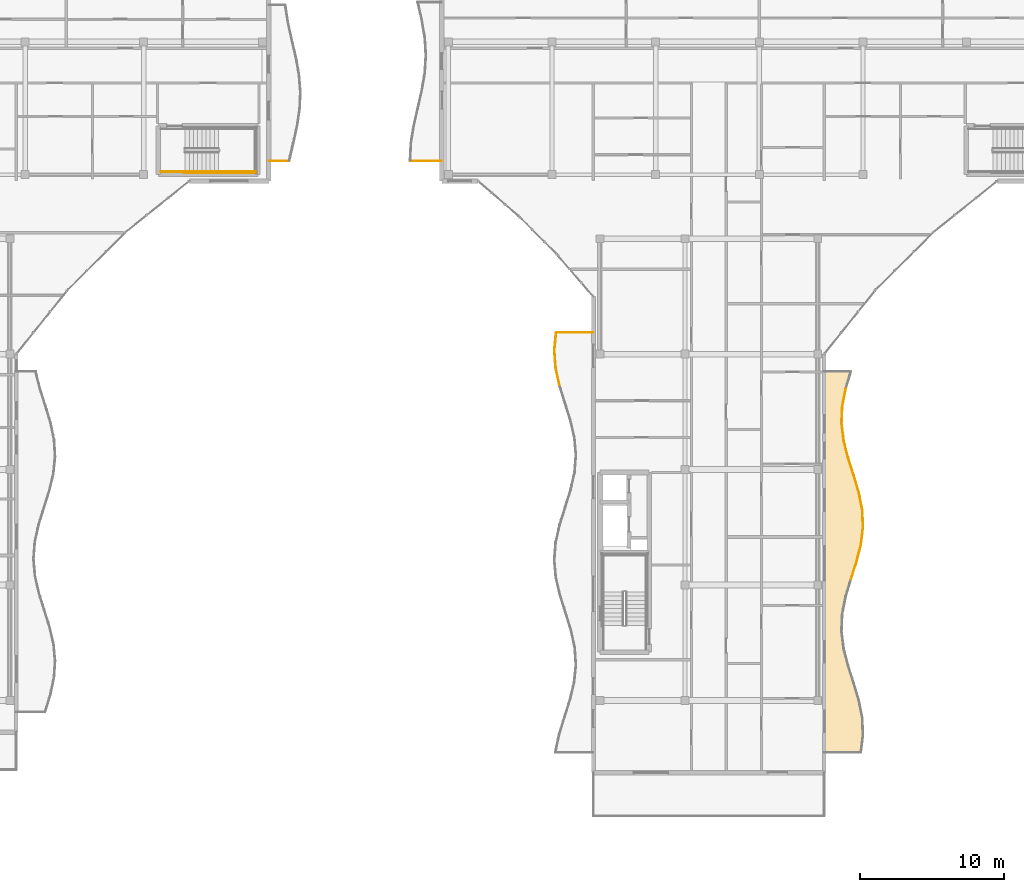
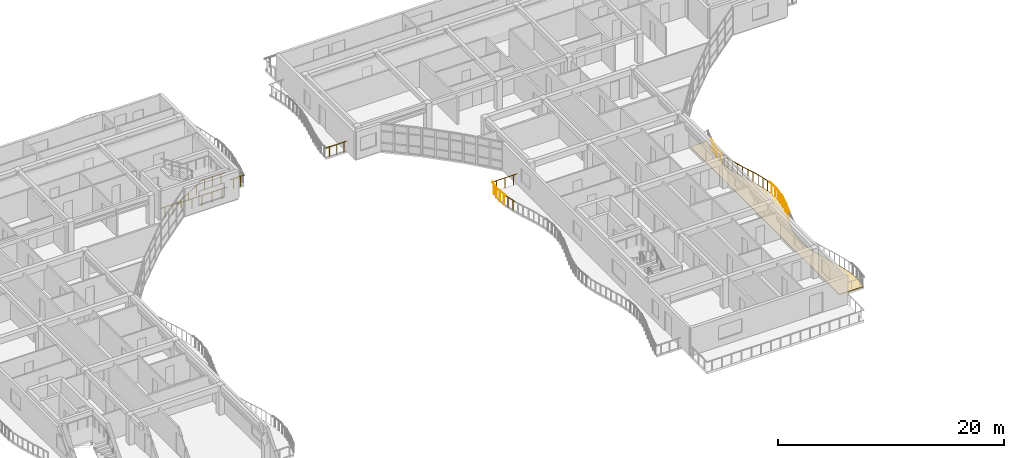
# One storey, part 45 of 54: 21 railings, 1 covering.
"""IFC4 building model written with IfcOpenShell, lengths in metres."""

from ifc_helpers import new_model, si_unit, direction, frame, origin, origin_2d, place, context, subcontext, project, spatial, polyline, circle, outline, extrude, material, layer, layer_set, type_object, element, save


model = new_model("IFC4")

# Units and contexts
model_context = context("Model", 3, precision=1e-05, world=origin(), true_north=direction((0.0, 1.0)))
body_context = subcontext(model_context, "Body", "Model", "MODEL_VIEW")
ifc_project = project(units=[si_unit("LENGTHUNIT", "METRE"), si_unit("AREAUNIT", "SQUARE_METRE"), si_unit("VOLUMEUNIT", "CUBIC_METRE"), si_unit("PLANEANGLEUNIT", "RADIAN"), si_unit("MASSUNIT", "GRAM", prefix="KILO")], contexts=[model_context])

# Site, building, storey
site_placement = place(None, origin())
site = spatial("IfcSite", under=ifc_project, at=site_placement, CompositionType="ELEMENT")
building_placement = place(site_placement, origin())
building = spatial("IfcBuilding", under=site, at=building_placement, Name="Keldmere Railside Commons", CompositionType="ELEMENT")
storey_placement = place(building_placement, frame((0.0, 0.0, 26.56005859375)))
storey = spatial("IfcBuildingStorey", under=building, at=storey_placement, Name="L08", CompositionType="ELEMENT", Elevation=26.56005859375)

# Railings
ifc_material_1 = material(Name="Steel F-24 (S235)", Category="steel")
railing_type_1 = type_object("IfcRailingType", Name="Balcony & Terrace Steel Balustrade 1100", PredefinedType="BALUSTRADE", material=ifc_material_1)
railing_1_placement = place(storey_placement, frame((81.5, 101.39990234375, 0.0)))
element("IfcRailing", 1, at=railing_1_placement, inside=storey, type_object=railing_type_1, Name="GR-1 GRD-L08-1718", PredefinedType="BALUSTRADE", context=body_context, shape_type="SweptSolid", body=[
    extrude(circle(Radius=0.02392578125, at=origin_2d()), frame((0.0, 0.0, 1.076171875), z_axis=(1.0, 0.0, 0.0), x_axis=(0.0, 1.0, 0.0)), (0.0, 0.0, 1.0), 1.419189453125),
    extrude(circle(Radius=0.02099609375, at=origin_2d()), frame((0.354736328125, 0.0, 0.0)), (0.0, 0.0, 1.0), 1.048095703125),
    extrude(circle(Radius=0.02099609375, at=origin_2d()), frame((1.064453125, 0.0, 0.0)), (0.0, 0.0, 1.0), 1.048095703125),
])
railing_2_placement = place(storey_placement, frame((121.8525390625, 72.39990234375, 0.0)))
element("IfcRailing", 2, at=railing_2_placement, inside=storey, type_object=railing_type_1, Name="GR-1 GRD-L08-2772", PredefinedType="BALUSTRADE", context=body_context, shape_type="SweptSolid", body=[
    extrude(circle(Radius=0.02392578125, at=origin_2d()), frame((0.0, 0.0, 1.076171875), z_axis=(0.305281739289, 0.952262075091, 0.0), x_axis=(-0.952262075091, 0.305281739289, 0.0)), (0.0, 0.0, 1.0), 1.26025390625),
    extrude(circle(Radius=0.02099609375, at=origin_2d()), frame((0.09619140625, 0.300048828125, 0.0)), (0.0, 0.0, 1.0), 1.048095703125),
    extrude(circle(Radius=0.02099609375, at=origin_2d()), frame((0.28857421875, 0.900146484375, 0.0)), (0.0, 0.0, 1.0), 1.048095703125),
])
railing_3_placement = place(storey_placement, frame((122.2373046875, 73.60009765625, 0.0)))
element("IfcRailing", 3, at=railing_3_placement, inside=storey, type_object=railing_type_1, Name="GR-1 GRD-L08-2773", PredefinedType="BALUSTRADE", context=body_context, shape_type="SweptSolid", body=[
    extrude(circle(Radius=0.02392578125, at=origin_2d()), frame((0.0, 0.0, 1.076171875), z_axis=(0.248697742419, 0.968581144208, 0.0), x_axis=(-0.968581144208, 0.248697742419, 0.0)), (0.0, 0.0, 1.0), 1.23876953125),
    extrude(circle(Radius=0.02099609375, at=origin_2d()), frame((0.0771484375, 0.300048828125, 0.0)), (0.0, 0.0, 1.0), 1.048095703125),
    extrude(circle(Radius=0.02099609375, at=origin_2d()), frame((0.23095703125, 0.89990234375, 0.0)), (0.0, 0.0, 1.0), 1.048095703125),
])
railing_4_placement = place(storey_placement, frame((122.54541015625, 74.800048828125, 0.0)))
element("IfcRailing", 4, at=railing_4_placement, inside=storey, type_object=railing_type_1, Name="GR-1 GRD-L08-2774", PredefinedType="BALUSTRADE", context=body_context, shape_type="SweptSolid", body=[
    extrude(circle(Radius=0.02392578125, at=origin_2d()), frame((0.0, 0.0, 1.076171875), z_axis=(0.12256831493, 0.992460078882, 0.0), x_axis=(-0.992460078882, 0.12256831493, 0.0)), (0.0, 0.0, 1.0), 1.208984375),
    extrude(circle(Radius=0.02099609375, at=origin_2d()), frame((0.037109375, 0.300048828125, 0.0)), (0.0, 0.0, 1.0), 1.048095703125),
    extrude(circle(Radius=0.02099609375, at=origin_2d()), frame((0.111083984375, 0.89990234375, 0.0)), (0.0, 0.0, 1.0), 1.048095703125),
])
railing_5_placement = place(storey_placement, frame((122.693603515625, 76.0, 0.0)))
element("IfcRailing", 5, at=railing_5_placement, inside=storey, type_object=railing_type_1, Name="GR-1 GRD-L08-2775", PredefinedType="BALUSTRADE", context=body_context, shape_type="SweptSolid", body=[
    extrude(circle(Radius=0.02392578125, at=origin_2d()), frame((0.0, 0.0, 1.076171875), z_axis=(-0.042281585484, 0.999105733909, 0.0), x_axis=(-0.999105733909, -0.042281585484, 0.0)), (0.0, 0.0, 1.0), 1.200927734375),
    extrude(circle(Radius=0.02099609375, at=origin_2d()), frame((-0.0126953125, 0.300048828125, 0.0)), (0.0, 0.0, 1.0), 1.048095703125),
    extrude(circle(Radius=0.02099609375, at=origin_2d()), frame((-0.0380859375, 0.89990234375, 0.0)), (0.0, 0.0, 1.0), 1.048095703125),
])
railing_6_placement = place(storey_placement, frame((122.642822265625, 77.199951171875, 0.0)))
element("IfcRailing", 6, at=railing_6_placement, inside=storey, type_object=railing_type_1, Name="GR-1 GRD-L08-2776", PredefinedType="BALUSTRADE", context=body_context, shape_type="SweptSolid", body=[
    extrude(circle(Radius=0.02392578125, at=origin_2d()), frame((0.0, 0.0, 1.076171875), z_axis=(-0.193428255419, 0.981114422484, 0.0), x_axis=(-0.981114422484, -0.193428255419, 0.0)), (0.0, 0.0, 1.0), 1.22314453125),
    extrude(circle(Radius=0.02099609375, at=origin_2d()), frame((-0.05908203125, 0.300048828125, 0.0)), (0.0, 0.0, 1.0), 1.048095703125),
    extrude(circle(Radius=0.02099609375, at=origin_2d()), frame((-0.177490234375, 0.89990234375, 0.0)), (0.0, 0.0, 1.0), 1.048095703125),
])
railing_7_placement = place(storey_placement, frame((122.40625, 78.39990234375, 0.0)))
element("IfcRailing", 7, at=railing_7_placement, inside=storey, type_object=railing_type_1, Name="GR-1 GRD-L08-2777", PredefinedType="BALUSTRADE", context=body_context, shape_type="SweptSolid", body=[
    extrude(circle(Radius=0.02392578125, at=origin_2d()), frame((0.0, 0.0, 1.076171875), z_axis=(-0.286310625412, 0.958136851278, 0.0), x_axis=(-0.958136851278, -0.286310625412, 0.0)), (0.0, 0.0, 1.0), 1.252685546875),
    extrude(circle(Radius=0.02099609375, at=origin_2d()), frame((-0.089599609375, 0.300048828125, 0.0)), (0.0, 0.0, 1.0), 1.048095703125),
    extrude(circle(Radius=0.02099609375, at=origin_2d()), frame((-0.26904296875, 0.900146484375, 0.0)), (0.0, 0.0, 1.0), 1.048095703125),
])
railing_8_placement = place(storey_placement, frame((122.047607421875, 79.60009765625, 0.0)))
element("IfcRailing", 8, at=railing_8_placement, inside=storey, type_object=railing_type_1, Name="GR-1 GRD-L08-2778", PredefinedType="BALUSTRADE", context=body_context, shape_type="SweptSolid", body=[
    extrude(circle(Radius=0.02392578125, at=origin_2d()), frame((0.0, 0.0, 1.076171875), z_axis=(-0.30551372524, 0.952187672515, 0.0), x_axis=(-0.952187672515, -0.30551372524, 0.0)), (0.0, 0.0, 1.0), 1.26025390625),
    extrude(circle(Radius=0.02099609375, at=origin_2d()), frame((-0.09619140625, 0.300048828125, 0.0)), (0.0, 0.0, 1.0), 1.048095703125),
    extrude(circle(Radius=0.02099609375, at=origin_2d()), frame((-0.288818359375, 0.89990234375, 0.0)), (0.0, 0.0, 1.0), 1.048095703125),
])
railing_9_placement = place(storey_placement, frame((121.66259765625, 80.800048828125, 0.0)))
element("IfcRailing", 9, at=railing_9_placement, inside=storey, type_object=railing_type_1, Name="GR-1 GRD-L08-2779", PredefinedType="BALUSTRADE", context=body_context, shape_type="SweptSolid", body=[
    extrude(circle(Radius=0.02392578125, at=origin_2d()), frame((0.0, 0.0, 1.076171875), z_axis=(-0.248512851139, 0.968628599009, 0.0), x_axis=(-0.968628599009, -0.248512851139, 0.0)), (0.0, 0.0, 1.0), 1.23876953125),
    extrude(circle(Radius=0.02099609375, at=origin_2d()), frame((-0.076904296875, 0.300048828125, 0.0)), (0.0, 0.0, 1.0), 1.048095703125),
    extrude(circle(Radius=0.02099609375, at=origin_2d()), frame((-0.23095703125, 0.89990234375, 0.0)), (0.0, 0.0, 1.0), 1.048095703125),
])
railing_10_placement = place(storey_placement, frame((121.354736328125, 82.0, 0.0)))
element("IfcRailing", 10, at=railing_10_placement, inside=storey, type_object=railing_type_1, Name="GR-1 GRD-L08-2780", PredefinedType="BALUSTRADE", context=body_context, shape_type="SweptSolid", body=[
    extrude(circle(Radius=0.02392578125, at=origin_2d()), frame((0.0, 0.0, 1.076171875), z_axis=(-0.122767198765, 0.992435496598, 0.0), x_axis=(-0.992435496598, -0.122767198765, 0.0)), (0.0, 0.0, 1.0), 1.208984375),
    extrude(circle(Radius=0.02099609375, at=origin_2d()), frame((-0.037109375, 0.300048828125, 0.0)), (0.0, 0.0, 1.0), 1.048095703125),
    extrude(circle(Radius=0.02099609375, at=origin_2d()), frame((-0.111328125, 0.89990234375, 0.0)), (0.0, 0.0, 1.0), 1.048095703125),
])
railing_11_placement = place(storey_placement, frame((121.206298828125, 83.199951171875, 0.0)))
element("IfcRailing", 11, at=railing_11_placement, inside=storey, type_object=railing_type_1, Name="GR-1 GRD-L08-2781", PredefinedType="BALUSTRADE", context=body_context, shape_type="SweptSolid", body=[
    extrude(circle(Radius=0.02392578125, at=origin_2d()), frame((0.0, 0.0, 1.076171875), z_axis=(0.042281585484, 0.999105733909, 0.0), x_axis=(-0.999105733909, 0.042281585484, 0.0)), (0.0, 0.0, 1.0), 1.200927734375),
    extrude(circle(Radius=0.02099609375, at=origin_2d()), frame((0.0126953125, 0.300048828125, 0.0)), (0.0, 0.0, 1.0), 1.048095703125),
    extrude(circle(Radius=0.02099609375, at=origin_2d()), frame((0.0380859375, 0.89990234375, 0.0)), (0.0, 0.0, 1.0), 1.048095703125),
])
railing_12_placement = place(storey_placement, frame((121.257080078125, 84.39990234375, 0.0)))
element("IfcRailing", 12, at=railing_12_placement, inside=storey, type_object=railing_type_1, Name="GR-1 GRD-L08-2782", PredefinedType="BALUSTRADE", context=body_context, shape_type="SweptSolid", body=[
    extrude(circle(Radius=0.02392578125, at=origin_2d()), frame((0.0, 0.0, 1.076171875), z_axis=(0.193390380448, 0.981121888835, 0.0), x_axis=(-0.981121888835, 0.193390380448, 0.0)), (0.0, 0.0, 1.0), 1.223388671875),
    extrude(circle(Radius=0.02099609375, at=origin_2d()), frame((0.05908203125, 0.300048828125, 0.0)), (0.0, 0.0, 1.0), 1.048095703125),
    extrude(circle(Radius=0.02099609375, at=origin_2d()), frame((0.177490234375, 0.900146484375, 0.0)), (0.0, 0.0, 1.0), 1.048095703125),
])
railing_13_placement = place(storey_placement, frame((101.6513671875, 85.862548828125, 0.0)))
element("IfcRailing", 13, at=railing_13_placement, inside=storey, type_object=railing_type_1, Name="GR-1 GRD-L08-2807", PredefinedType="BALUSTRADE", context=body_context, shape_type="SweptSolid", body=[
    extrude(circle(Radius=0.02392578125, at=origin_2d()), frame((0.0, 0.0, 1.076171875), z_axis=(-0.214388987942, 0.97674836158, 0.0), x_axis=(-0.97674836158, -0.214388987942, 0.0)), (0.0, 0.0, 1.0), 1.2412109375),
    extrude(circle(Radius=0.02099609375, at=origin_2d()), frame((-0.06640625, 0.30322265625, 0.0)), (0.0, 0.0, 1.0), 1.048095703125),
    extrude(circle(Radius=0.02099609375, at=origin_2d()), frame((-0.19970703125, 0.9091796875, 0.0)), (0.0, 0.0, 1.0), 1.048095703125),
])
railing_14_placement = place(storey_placement, frame((101.38525390625, 87.074951171875, 0.0)))
element("IfcRailing", 14, at=railing_14_placement, inside=storey, type_object=railing_type_1, Name="GR-1 GRD-L08-2808", PredefinedType="BALUSTRADE", context=body_context, shape_type="SweptSolid", body=[
    extrude(circle(Radius=0.02392578125, at=origin_2d()), frame((0.0, 0.0, 1.076171875), z_axis=(-0.069491355665, 0.997582553721, 0.0), x_axis=(-0.997582553721, -0.069491355665, 0.0)), (0.0, 0.0, 1.0), 1.215576171875),
    extrude(circle(Radius=0.02099609375, at=origin_2d()), frame((-0.02099609375, 0.30322265625, 0.0)), (0.0, 0.0, 1.0), 1.048095703125),
    extrude(circle(Radius=0.02099609375, at=origin_2d()), frame((-0.0634765625, 0.909423828125, 0.0)), (0.0, 0.0, 1.0), 1.048095703125),
])
railing_15_placement = place(storey_placement, frame((101.30078125, 88.28759765625, 0.0)))
element("IfcRailing", 15, at=railing_15_placement, inside=storey, type_object=railing_type_1, Name="GR-1 GRD-L08-2809", PredefinedType="BALUSTRADE", context=body_context, shape_type="SweptSolid", body=[
    extrude(circle(Radius=0.02392578125, at=origin_2d()), frame((0.0, 0.0, 1.076171875), z_axis=(0.098987875139, 0.995088639557, 0.0), x_axis=(-0.995088639557, 0.098987875139, 0.0)), (0.0, 0.0, 1.0), 1.218505859375),
    extrude(circle(Radius=0.02099609375, at=origin_2d()), frame((0.0302734375, 0.30322265625, 0.0)), (0.0, 0.0, 1.0), 1.048095703125),
    extrude(circle(Radius=0.02099609375, at=origin_2d()), frame((0.09033203125, 0.9091796875, 0.0)), (0.0, 0.0, 1.0), 1.048095703125),
])
railing_16_placement = place(storey_placement, frame((101.42138671875, 89.5, 0.0)))
element("IfcRailing", 16, at=railing_16_placement, inside=storey, type_object=railing_type_1, Name="GR-1 GRD-L08-2810", PredefinedType="BALUSTRADE", context=body_context, shape_type="SweptSolid", body=[
    extrude(circle(Radius=0.02392578125, at=origin_2d()), frame((0.0, 0.0, 1.076171875), z_axis=(1.0, 0.0, 0.0), x_axis=(0.0, 1.0, 0.0)), (0.0, 0.0, 1.0), 2.57861328125),
    extrude(circle(Radius=0.02099609375, at=origin_2d()), frame((0.4296875, 0.0, 0.0)), (0.0, 0.0, 1.0), 1.048095703125),
    extrude(circle(Radius=0.02099609375, at=origin_2d()), frame((1.289306640625, 0.0, 0.0)), (0.0, 0.0, 1.0), 1.048095703125),
    extrude(circle(Radius=0.02099609375, at=origin_2d()), frame((2.14892578125, 0.0, 0.0)), (0.0, 0.0, 1.0), 1.048095703125),
])
railing_17_placement = place(storey_placement, frame((93.5, 101.39990234375, 0.0)))
element("IfcRailing", 17, at=railing_17_placement, inside=storey, type_object=railing_type_1, Name="GR-1 GRD-L08-2822", PredefinedType="BALUSTRADE", context=body_context, shape_type="SweptSolid", body=[
    extrude(circle(Radius=0.02392578125, at=origin_2d()), frame((0.0, 0.0, 1.076171875), z_axis=(-1.0, 0.0, 0.0), x_axis=(0.0, -1.0, 0.0)), (0.0, 0.0, 1.0), 2.19921875),
    extrude(circle(Radius=0.02099609375, at=origin_2d()), frame((-0.366455078125, 0.0, 0.0)), (0.0, 0.0, 1.0), 1.048095703125),
    extrude(circle(Radius=0.02099609375, at=origin_2d()), frame((-1.099609375, 0.0, 0.0)), (0.0, 0.0, 1.0), 1.048095703125),
    extrude(circle(Radius=0.02099609375, at=origin_2d()), frame((-1.832763671875, 0.0, 0.0)), (0.0, 0.0, 1.0), 1.048095703125),
])
railing_type_2 = type_object("IfcRailingType", Name="Stair Well Steel Guardrail 1100", PredefinedType="BALUSTRADE", material=ifc_material_1)
railing_18_placement = place(storey_placement, frame((78.02001953125, 100.64990234375, 1.599853515625)))
element("IfcRailing", 18, at=railing_18_placement, inside=storey, type_object=railing_type_2, Name="L08 ST-C2 stair guard 3", PredefinedType="BALUSTRADE", context=body_context, shape_type="SweptSolid", body=[
    extrude(circle(Radius=0.02392578125, at=origin_2d()), frame((0.0, 0.0, 1.076171875), z_axis=(1.0, 0.0, 0.0), x_axis=(0.0, 1.0, 0.0)), (0.0, 0.0, 1.0), 2.580078125),
    extrude(circle(Radius=0.02099609375, at=origin_2d()), frame((0.429931640625, 0.0, 0.0)), (0.0, 0.0, 1.0), 1.048095703125),
    extrude(circle(Radius=0.02099609375, at=origin_2d()), frame((1.2900390625, 0.0, 0.0)), (0.0, 0.0, 1.0), 1.048095703125),
    extrude(circle(Radius=0.02099609375, at=origin_2d()), frame((2.150146484375, 0.0, 0.0)), (0.0, 0.0, 1.0), 1.048095703125),
])
railing_19_placement = place(storey_placement, frame((74.0, 100.64990234375, 0.0)))
element("IfcRailing", 19, at=railing_19_placement, inside=storey, type_object=railing_type_2, Name="L08 ST-C2 stair guard 8", PredefinedType="BALUSTRADE", context=body_context, shape_type="SweptSolid", body=[
    extrude(circle(Radius=0.02392578125, at=origin_2d()), frame((0.0, 0.0, 1.076171875), z_axis=(1.0, 0.0, 0.0), x_axis=(0.0, 1.0, 0.0)), (0.0, 0.0, 1.0), 1.699951171875),
    extrude(circle(Radius=0.02099609375, at=origin_2d()), frame((0.425048828125, 0.0, 0.0)), (0.0, 0.0, 1.0), 1.048095703125),
    extrude(circle(Radius=0.02099609375, at=origin_2d()), frame((1.27490234375, 0.0, 0.0)), (0.0, 0.0, 1.0), 1.048095703125),
])
railing_20_placement = place(storey_placement, frame((75.60009765625, 100.550048828125, 0.0)))
element("IfcRailing", 20, at=railing_20_placement, inside=storey, type_object=railing_type_2, Name="L08 ST-C2 stair guard 10", PredefinedType="BALUSTRADE", context=body_context, shape_type="SweptSolid", body=[
    extrude(circle(Radius=0.02392578125, at=origin_2d()), frame((0.0, 0.0, 1.076171875), z_axis=(1.0, 0.0, 0.0), x_axis=(0.0, 1.0, 0.0)), (0.0, 0.0, 1.0), 5.099853515625),
    extrude(circle(Radius=0.02099609375, at=origin_2d()), frame((0.510009765625, 0.0, 0.0)), (0.0, 0.0, 1.0), 1.048095703125),
    extrude(circle(Radius=0.02099609375, at=origin_2d()), frame((1.530029296875, 0.0, 0.0)), (0.0, 0.0, 1.0), 1.048095703125),
    extrude(circle(Radius=0.02099609375, at=origin_2d()), frame((2.5498046875, 0.0, 0.0)), (0.0, 0.0, 1.0), 1.048095703125),
    extrude(circle(Radius=0.02099609375, at=origin_2d()), frame((3.56982421875, 0.0, 0.0)), (0.0, 0.0, 1.0), 1.048095703125),
    extrude(circle(Radius=0.02099609375, at=origin_2d()), frame((4.58984375, 0.0, 0.0)), (0.0, 0.0, 1.0), 1.048095703125),
])
railing_type_3 = type_object("IfcRailingType", Name="Wall-Mounted Tubular Steel Handrail 900", PredefinedType="HANDRAIL", material=ifc_material_1)
railing_21_placement = place(storey_placement, frame((75.699951171875, 100.64990234375, 0.177734375)))
element("IfcRailing", 21, at=railing_21_placement, inside=storey, type_object=railing_type_3, Name="L08 ST-C2 stair handrail 1", PredefinedType="HANDRAIL", context=body_context, shape_type="SweptSolid", body=[
    extrude(circle(Radius=0.02392578125, at=origin_2d()), frame((0.0, 0.0, 0.8759765625), z_axis=(0.852578041948, 0.0, 0.522599925744), x_axis=(0.0, 1.0, 0.0)), (0.0, 0.0, 1.0), 2.72119140625),
    extrude(circle(Radius=0.02099609375, at=origin_2d()), frame((0.38671875, 0.0, 0.237060546875)), (0.0, 0.0, 1.0), 0.847900390625),
    extrude(circle(Radius=0.02099609375, at=origin_2d()), frame((1.16015625, 0.0, 0.7109375)), (0.0, 0.0, 1.0), 0.847900390625),
    extrude(circle(Radius=0.02099609375, at=origin_2d()), frame((1.933349609375, 0.0, 1.18505859375)), (0.0, 0.0, 1.0), 0.847900390625),
])

# Covering
ifc_material_2 = material(Name="White Precast Concrete C35/45", Category="concrete")
ifc_layer = layer(ifc_material_2, 0.044921875, Name="White Architectural Balcony Ribbon Cladding 45")
ifc_layer_set = layer_set([ifc_layer], Name="White Precast Concrete C35/45")
covering_type = type_object("IfcCoveringType", Name="White Architectural Balcony Ribbon Cladding 45", PredefinedType="FLOORING", material=ifc_layer_set)
covering_placement = place(storey_placement, origin())
element("IfcCovering", 22, at=covering_placement, inside=storey, type_object=covering_type, Name="CLG-WB B L08 CE White Balcony Ribbon", PredefinedType="FLOORING", context=body_context, shape_type="SweptSolid", body=[
    extrude(outline(polyline([(122.653564453125, 61.6015625), (122.60302734375, 62.79541015625), (122.367431640625, 63.990478515625), (122.00927734375, 65.188232421875), (121.62451171875, 66.3876953125), (121.623779296875, 66.39013671875), (121.31591796875, 67.590087890625), (121.31494140625, 67.59521484375), (121.166748046875, 68.795166015625), (121.16650390625, 68.79833984375), (121.16650390625, 68.8017578125), (121.21728515625, 70.001708984375), (121.217529296875, 70.004638671875), (121.218017578125, 70.0078125), (121.45458984375, 71.207763671875), (121.455322265625, 71.21142578125), (121.814208984375, 72.41162109375), (121.814453125, 72.412109375), (122.198974609375, 73.611083984375), (122.505859375, 74.8076171875), (122.653564453125, 76.001708984375), (122.60302734375, 77.1953125), (122.367431640625, 78.390380859375), (122.00927734375, 79.588134765625), (121.62451171875, 80.787841796875), (121.623779296875, 80.7900390625), (121.31591796875, 81.989990234375), (121.31494140625, 81.9951171875), (121.166748046875, 83.195068359375), (121.16650390625, 83.198486328125), (121.16650390625, 83.20166015625), (121.21728515625, 84.401611328125), (121.217529296875, 84.40478515625), (121.218017578125, 84.40771484375), (121.45458984375, 85.607666015625), (121.455322265625, 85.611572265625), (121.798828125, 86.760009765625), (120.0400390625, 86.760009765625), (120.0400390625, 60.43994140625), (122.510009765625, 60.43994140625), (122.653564453125, 61.6015625)])), origin(), (0.0, 0.0, 1.0), 0.044921875),
])

save(model, "model.ifc")
